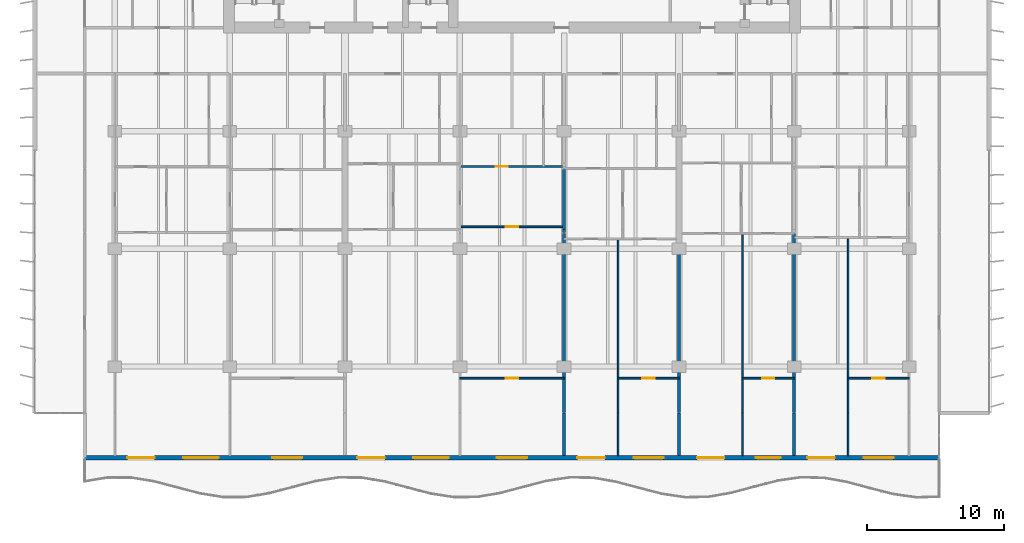
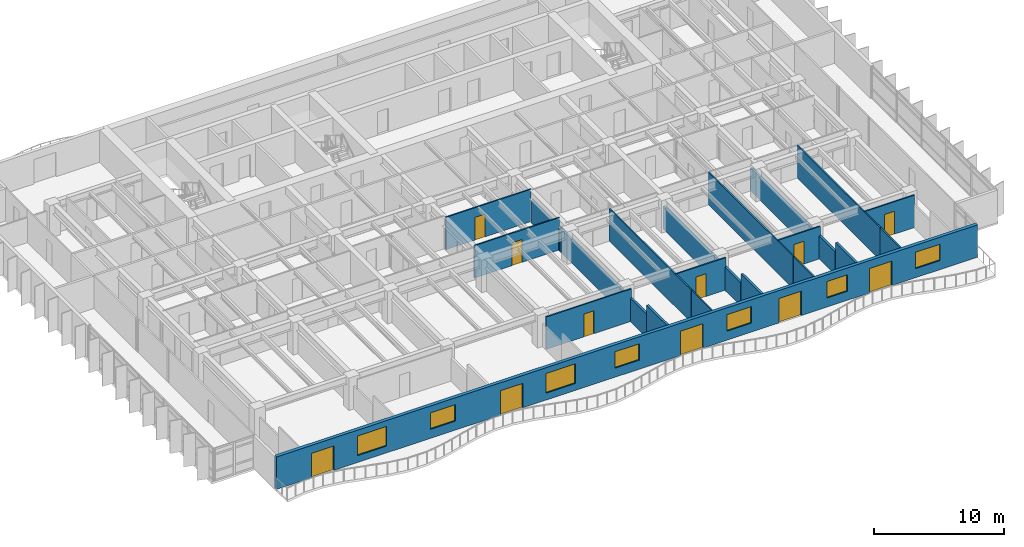
# One storey, part 8 of 19: 21 walls, 11 doors, 7 windows, 18 openings.
"""IFC4 building model written with IfcOpenShell, lengths in metres."""

from ifc_helpers import new_model, si_unit, direction, frame, frame_2d, origin, place, context, subcontext, project, spatial, rectangle, extrude, material, layer, layer_set, type_object, element, fill, save


model = new_model("IFC4")

# Units and contexts
model_context = context("Model", 3, precision=1e-05, world=origin(), true_north=direction((0.0, 1.0)))
body_context = subcontext(model_context, "Body", "Model", "MODEL_VIEW")
ifc_project = project(units=[si_unit("LENGTHUNIT", "METRE"), si_unit("AREAUNIT", "SQUARE_METRE"), si_unit("VOLUMEUNIT", "CUBIC_METRE"), si_unit("PLANEANGLEUNIT", "RADIAN"), si_unit("MASSUNIT", "GRAM", prefix="KILO")], contexts=[model_context])

# Site, building, storey
site_placement = place(None, origin())
site = spatial("IfcSite", under=ifc_project, at=site_placement, CompositionType="ELEMENT")
building_placement = place(site_placement, origin())
building = spatial("IfcBuilding", under=site, at=building_placement, Name="Caelmar Bay Residences", CompositionType="ELEMENT")
storey_placement = place(building_placement, frame((0.0, 0.0, 115.800048828125)))
storey = spatial("IfcBuildingStorey", under=building, at=storey_placement, Name="L31", CompositionType="ELEMENT", Elevation=115.800048828125)

# Wall, openings, doors, windows
ifc_material_1 = material(Name="Precast concrete f'c 40 MPa (6,000 psi)", Category="concrete")
ifc_layer_1 = layer(ifc_material_1, 0.300048828125)
ifc_layer_set_1 = layer_set([ifc_layer_1], Name="Precast concrete f'c 40 MPa (6,000 psi)")
wall_type_1 = type_object("IfcWallType", Name="W-EXT-300", PredefinedType="STANDARD", material=ifc_layer_set_1)
wall_1_placement = place(storey_placement, frame((70.10009765625, 5.550048828125, 0.0), z_axis=(0.0, 0.0, 1.0), x_axis=(-1.0, 0.0, 0.0)))
wall_1 = element("IfcWall", 1, at=wall_1_placement, inside=storey, type_object=wall_type_1, Name="L31 South Bayfront Exterior Wall", PredefinedType="STANDARD", context=body_context, shape_type="SweptSolid", body=[
    extrude(rectangle(XDim=62.400146484375, YDim=0.300048828125, at=frame_2d((31.2001953125, 0.0))), origin(), (0.0, 0.0, 1.0), 3.050048828125),
])
opening_1_placement = place(wall_1_placement, frame((57.2900390625, 0.0, 0.0)))
opening_1 = element("IfcOpeningElement", 2, at=opening_1_placement, cuts=wall_1, Name="Opening L31-BD01", PredefinedType="OPENING", context=body_context, shape_type="SweptSolid", body=[
    extrude(rectangle(XDim=2.0, YDim=2.300048828125, at=frame_2d((1.0, 1.14990234375))), frame((0.0, 0.159912109375, 0.0), z_axis=(0.0, -1.0, 0.0), x_axis=(1.0, 0.0, 0.0)), (0.0, 0.0, 1.0), 0.320068359375),
])
opening_2_placement = place(wall_1_placement, frame((52.610107421875, 0.0, 0.64990234375)))
opening_2 = element("IfcOpeningElement", 3, at=opening_2_placement, cuts=wall_1, Name="Opening WN3", PredefinedType="OPENING", context=body_context, shape_type="SweptSolid", body=[
    extrude(rectangle(XDim=2.60009765625, YDim=1.85009765625, at=frame_2d((1.300048828125, 0.925048828125))), frame((0.0, 0.159912109375, 0.0), z_axis=(0.0, -1.0, 0.0), x_axis=(1.0, 0.0, 0.0)), (0.0, 0.0, 1.0), 0.320068359375),
])
opening_3_placement = place(wall_1_placement, frame((46.5, 0.0, 0.85009765625)))
opening_3 = element("IfcOpeningElement", 4, at=opening_3_placement, cuts=wall_1, Name="Opening WN2", PredefinedType="OPENING", context=body_context, shape_type="SweptSolid", body=[
    extrude(rectangle(XDim=2.199951171875, YDim=1.550048828125, at=frame_2d((1.10009765625, 0.77490234375))), frame((0.0, 0.159912109375, 0.0), z_axis=(0.0, -1.0, 0.0), x_axis=(1.0, 0.0, 0.0)), (0.0, 0.0, 1.0), 0.320068359375),
])
opening_4_placement = place(wall_1_placement, frame((40.489990234375, 0.0, 0.0)))
opening_4 = element("IfcOpeningElement", 5, at=opening_4_placement, cuts=wall_1, Name="Opening L31-BD02", PredefinedType="OPENING", context=body_context, shape_type="SweptSolid", body=[
    extrude(rectangle(XDim=2.0, YDim=2.300048828125, at=frame_2d((1.0, 1.14990234375))), frame((0.0, 0.159912109375, 0.0), z_axis=(0.0, -1.0, 0.0), x_axis=(1.0, 0.0, 0.0)), (0.0, 0.0, 1.0), 0.320068359375),
])
opening_5_placement = place(wall_1_placement, frame((35.81005859375, 0.0, 0.64990234375)))
opening_5 = element("IfcOpeningElement", 6, at=opening_5_placement, cuts=wall_1, Name="Opening WN3", PredefinedType="OPENING", context=body_context, shape_type="SweptSolid", body=[
    extrude(rectangle(XDim=2.60009765625, YDim=1.85009765625, at=frame_2d((1.300048828125, 0.925048828125))), frame((0.0, 0.159912109375, 0.0), z_axis=(0.0, -1.0, 0.0), x_axis=(1.0, 0.0, 0.0)), (0.0, 0.0, 1.0), 0.320068359375),
])
opening_6_placement = place(wall_1_placement, frame((30.10009765625, 0.0, 0.85009765625)))
opening_6 = element("IfcOpeningElement", 7, at=opening_6_placement, cuts=wall_1, Name="Opening WN2", PredefinedType="OPENING", context=body_context, shape_type="SweptSolid", body=[
    extrude(rectangle(XDim=2.199951171875, YDim=1.550048828125, at=frame_2d((1.10009765625, 0.77490234375))), frame((0.0, 0.159912109375, 0.0), z_axis=(0.0, -1.0, 0.0), x_axis=(1.0, 0.0, 0.0)), (0.0, 0.0, 1.0), 0.320068359375),
])
opening_7_placement = place(wall_1_placement, frame((24.426025390625, 0.0, 0.0)))
opening_7 = element("IfcOpeningElement", 8, at=opening_7_placement, cuts=wall_1, Name="Opening L31-BD03", PredefinedType="OPENING", context=body_context, shape_type="SweptSolid", body=[
    extrude(rectangle(XDim=2.0, YDim=2.300048828125, at=frame_2d((1.0, 1.14990234375))), frame((0.0, 0.159912109375, 0.0), z_axis=(0.0, -1.0, 0.0), x_axis=(1.0, 0.0, 0.0)), (0.0, 0.0, 1.0), 0.320068359375),
])
opening_8_placement = place(wall_1_placement, frame((20.1259765625, 0.0, 0.85009765625)))
opening_8 = element("IfcOpeningElement", 9, at=opening_8_placement, cuts=wall_1, Name="Opening WN2", PredefinedType="OPENING", context=body_context, shape_type="SweptSolid", body=[
    extrude(rectangle(XDim=2.199951171875, YDim=1.550048828125, at=frame_2d((1.10009765625, 0.77490234375))), frame((0.0, 0.159912109375, 0.0), z_axis=(0.0, -1.0, 0.0), x_axis=(1.0, 0.0, 0.0)), (0.0, 0.0, 1.0), 0.320068359375),
])
opening_9_placement = place(wall_1_placement, frame((15.68994140625, 0.0, 0.0)))
opening_9 = element("IfcOpeningElement", 10, at=opening_9_placement, cuts=wall_1, Name="Opening L31-BD04", PredefinedType="OPENING", context=body_context, shape_type="SweptSolid", body=[
    extrude(rectangle(XDim=2.0, YDim=2.300048828125, at=frame_2d((1.0, 1.14990234375))), frame((0.0, 0.159912109375, 0.0), z_axis=(0.0, -1.0, 0.0), x_axis=(1.0, 0.0, 0.0)), (0.0, 0.0, 1.0), 0.320068359375),
])
opening_10_placement = place(wall_1_placement, frame((11.590087890625, 0.0, 0.85009765625)))
opening_10 = element("IfcOpeningElement", 11, at=opening_10_placement, cuts=wall_1, Name="Opening WN1", PredefinedType="OPENING", context=body_context, shape_type="SweptSolid", body=[
    extrude(rectangle(XDim=1.800048828125, YDim=1.550048828125, at=frame_2d((0.89990234375, 0.77490234375))), frame((0.0, 0.159912109375, 0.0), z_axis=(0.0, -1.0, 0.0), x_axis=(1.0, 0.0, 0.0)), (0.0, 0.0, 1.0), 0.320068359375),
])
opening_11_placement = place(wall_1_placement, frame((7.6259765625, 0.0, 0.0)))
opening_11 = element("IfcOpeningElement", 12, at=opening_11_placement, cuts=wall_1, Name="Opening L31-BD05", PredefinedType="OPENING", context=body_context, shape_type="SweptSolid", body=[
    extrude(rectangle(XDim=2.0, YDim=2.300048828125, at=frame_2d((1.0, 1.14990234375))), frame((0.0, 0.159912109375, 0.0), z_axis=(0.0, -1.0, 0.0), x_axis=(1.0, 0.0, 0.0)), (0.0, 0.0, 1.0), 0.320068359375),
])
opening_12_placement = place(wall_1_placement, frame((3.325927734375, 0.0, 0.85009765625)))
opening_12 = element("IfcOpeningElement", 13, at=opening_12_placement, cuts=wall_1, Name="Opening WN2", PredefinedType="OPENING", context=body_context, shape_type="SweptSolid", body=[
    extrude(rectangle(XDim=2.199951171875, YDim=1.550048828125, at=frame_2d((1.10009765625, 0.77490234375))), frame((0.0, 0.159912109375, 0.0), z_axis=(0.0, -1.0, 0.0), x_axis=(1.0, 0.0, 0.0)), (0.0, 0.0, 1.0), 0.320068359375),
])
ifc_material_2 = material(Name="Anodised bronze thermally broken sliding glass door", Category="glass")
ifc_layer_2 = layer(ifc_material_2, 0.050048828125)
ifc_layer_set_2 = layer_set([ifc_layer_2], Name="Anodised bronze thermally broken sliding glass door")
door_type_1 = type_object("IfcDoorType", Name="D-BAL-2000", OperationType="DOUBLE_DOOR_SLIDING", PredefinedType="DOOR", material=ifc_layer_set_2)
door_1_placement = place(opening_1_placement, origin())
door_1 = element("IfcDoor", 14, at=door_1_placement, inside=storey, type_object=door_type_1, Name="L31 Residence 01 Penthouse Living Salon Balcony Door", OperationType="DOUBLE_DOOR_SLIDING", OverallHeight=2.300048828125, OverallWidth=2.0, PredefinedType="DOOR", context=body_context, shape_type="SweptSolid", body=[
    extrude(rectangle(XDim=2.0, YDim=2.300048828125, at=frame_2d((1.0, 1.14990234375))), frame((0.0, 0.02490234375, 0.0), z_axis=(0.0, -1.0, 0.0), x_axis=(1.0, 0.0, 0.0)), (0.0, 0.0, 1.0), 0.050048828125),
])
fill(opening_1, door_1)
door_2_placement = place(opening_4_placement, origin())
door_2 = element("IfcDoor", 15, at=door_2_placement, inside=storey, type_object=door_type_1, Name="L31 Residence 02 Penthouse Living Salon Balcony Door", OperationType="DOUBLE_DOOR_SLIDING", OverallHeight=2.300048828125, OverallWidth=2.0, PredefinedType="DOOR", context=body_context, shape_type="SweptSolid", body=[
    extrude(rectangle(XDim=2.0, YDim=2.300048828125, at=frame_2d((1.0, 1.14990234375))), frame((0.0, 0.02490234375, 0.0), z_axis=(0.0, -1.0, 0.0), x_axis=(1.0, 0.0, 0.0)), (0.0, 0.0, 1.0), 0.050048828125),
])
fill(opening_4, door_2)
door_3_placement = place(opening_7_placement, origin())
door_3 = element("IfcDoor", 16, at=door_3_placement, inside=storey, type_object=door_type_1, Name="L31 Residence 03 Living Room Balcony Door", OperationType="DOUBLE_DOOR_SLIDING", OverallHeight=2.300048828125, OverallWidth=2.0, PredefinedType="DOOR", context=body_context, shape_type="SweptSolid", body=[
    extrude(rectangle(XDim=2.0, YDim=2.300048828125, at=frame_2d((1.0, 1.14990234375))), frame((0.0, 0.02490234375, 0.0), z_axis=(0.0, -1.0, 0.0), x_axis=(1.0, 0.0, 0.0)), (0.0, 0.0, 1.0), 0.050048828125),
])
fill(opening_7, door_3)
door_4_placement = place(opening_9_placement, origin())
door_4 = element("IfcDoor", 17, at=door_4_placement, inside=storey, type_object=door_type_1, Name="L31 Residence 04 Living Room Balcony Door", OperationType="DOUBLE_DOOR_SLIDING", OverallHeight=2.300048828125, OverallWidth=2.0, PredefinedType="DOOR", context=body_context, shape_type="SweptSolid", body=[
    extrude(rectangle(XDim=2.0, YDim=2.300048828125, at=frame_2d((1.0, 1.14990234375))), frame((0.0, 0.02490234375, 0.0), z_axis=(0.0, -1.0, 0.0), x_axis=(1.0, 0.0, 0.0)), (0.0, 0.0, 1.0), 0.050048828125),
])
fill(opening_9, door_4)
door_5_placement = place(opening_11_placement, origin())
door_5 = element("IfcDoor", 18, at=door_5_placement, inside=storey, type_object=door_type_1, Name="L31 Residence 05 Living Room Balcony Door", OperationType="DOUBLE_DOOR_SLIDING", OverallHeight=2.300048828125, OverallWidth=2.0, PredefinedType="DOOR", context=body_context, shape_type="SweptSolid", body=[
    extrude(rectangle(XDim=2.0, YDim=2.300048828125, at=frame_2d((1.0, 1.14990234375))), frame((0.0, 0.02490234375, 0.0), z_axis=(0.0, -1.0, 0.0), x_axis=(1.0, 0.0, 0.0)), (0.0, 0.0, 1.0), 0.050048828125),
])
fill(opening_11, door_5)
ifc_material_3 = material(Name="Bronze aluminium frame with laminated low-E glass", Category="aluminium")
ifc_layer_3 = layer(ifc_material_3, 0.06005859375)
ifc_layer_set_3 = layer_set([ifc_layer_3], Name="Bronze aluminium frame with laminated low-E glass")
window_type_1 = type_object("IfcWindowType", Name="WIN-BR-1800", PartitioningType="SINGLE_PANEL", PredefinedType="WINDOW", material=ifc_layer_set_3)
window_1_placement = place(opening_10_placement, origin())
window_1 = element("IfcWindow", 19, at=window_1_placement, inside=storey, type_object=window_type_1, Name="L31 Residence 04 Primary Bedroom Window", OverallHeight=1.550048828125, OverallWidth=1.800048828125, PartitioningType="SINGLE_PANEL", PredefinedType="WINDOW", context=body_context, shape_type="SweptSolid", body=[
    extrude(rectangle(XDim=1.800048828125, YDim=1.550048828125, at=frame_2d((0.89990234375, 0.77490234375))), frame((0.0, 0.030029296875, 0.0), z_axis=(0.0, -1.0, 0.0), x_axis=(1.0, 0.0, 0.0)), (0.0, 0.0, 1.0), 0.06005859375),
])
fill(opening_10, window_1)
ifc_layer_4 = layer(ifc_material_3, 0.06005859375)
ifc_layer_set_4 = layer_set([ifc_layer_4], Name="Bronze aluminium frame with laminated low-E glass")
window_type_2 = type_object("IfcWindowType", Name="WIN-BR-2200", PartitioningType="SINGLE_PANEL", PredefinedType="WINDOW", material=ifc_layer_set_4)
window_2_placement = place(opening_3_placement, origin())
window_2 = element("IfcWindow", 20, at=window_2_placement, inside=storey, type_object=window_type_2, Name="L31 Residence 01 Primary Bedroom 1 Window", OverallHeight=1.550048828125, OverallWidth=2.199951171875, PartitioningType="SINGLE_PANEL", PredefinedType="WINDOW", context=body_context, shape_type="SweptSolid", body=[
    extrude(rectangle(XDim=2.199951171875, YDim=1.550048828125, at=frame_2d((1.10009765625, 0.77490234375))), frame((0.0, 0.030029296875, 0.0), z_axis=(0.0, -1.0, 0.0), x_axis=(1.0, 0.0, 0.0)), (0.0, 0.0, 1.0), 0.06005859375),
])
fill(opening_3, window_2)
window_3_placement = place(opening_6_placement, origin())
window_3 = element("IfcWindow", 21, at=window_3_placement, inside=storey, type_object=window_type_2, Name="L31 Residence 02 Primary Bedroom 1 Window", OverallHeight=1.550048828125, OverallWidth=2.199951171875, PartitioningType="SINGLE_PANEL", PredefinedType="WINDOW", context=body_context, shape_type="SweptSolid", body=[
    extrude(rectangle(XDim=2.199951171875, YDim=1.550048828125, at=frame_2d((1.10009765625, 0.77490234375))), frame((0.0, 0.030029296875, 0.0), z_axis=(0.0, -1.0, 0.0), x_axis=(1.0, 0.0, 0.0)), (0.0, 0.0, 1.0), 0.06005859375),
])
fill(opening_6, window_3)
window_4_placement = place(opening_8_placement, origin())
window_4 = element("IfcWindow", 22, at=window_4_placement, inside=storey, type_object=window_type_2, Name="L31 Residence 03 Primary Bedroom Window", OverallHeight=1.550048828125, OverallWidth=2.199951171875, PartitioningType="SINGLE_PANEL", PredefinedType="WINDOW", context=body_context, shape_type="SweptSolid", body=[
    extrude(rectangle(XDim=2.199951171875, YDim=1.550048828125, at=frame_2d((1.10009765625, 0.77490234375))), frame((0.0, 0.030029296875, 0.0), z_axis=(0.0, -1.0, 0.0), x_axis=(1.0, 0.0, 0.0)), (0.0, 0.0, 1.0), 0.06005859375),
])
fill(opening_8, window_4)
window_5_placement = place(opening_12_placement, origin())
window_5 = element("IfcWindow", 23, at=window_5_placement, inside=storey, type_object=window_type_2, Name="L31 Residence 05 Primary Bedroom Window", OverallHeight=1.550048828125, OverallWidth=2.199951171875, PartitioningType="SINGLE_PANEL", PredefinedType="WINDOW", context=body_context, shape_type="SweptSolid", body=[
    extrude(rectangle(XDim=2.199951171875, YDim=1.550048828125, at=frame_2d((1.10009765625, 0.77490234375))), frame((0.0, 0.030029296875, 0.0), z_axis=(0.0, -1.0, 0.0), x_axis=(1.0, 0.0, 0.0)), (0.0, 0.0, 1.0), 0.06005859375),
])
fill(opening_12, window_5)
ifc_layer_5 = layer(ifc_material_3, 0.06005859375)
ifc_layer_set_5 = layer_set([ifc_layer_5], Name="Bronze aluminium frame with laminated low-E glass")
window_type_3 = type_object("IfcWindowType", Name="WIN-LIV-2600", PartitioningType="SINGLE_PANEL", PredefinedType="WINDOW", material=ifc_layer_set_5)
window_6_placement = place(opening_2_placement, origin())
window_6 = element("IfcWindow", 24, at=window_6_placement, inside=storey, type_object=window_type_3, Name="L31 Residence 01 Penthouse Living Salon Panoramic Window", OverallHeight=1.85009765625, OverallWidth=2.60009765625, PartitioningType="SINGLE_PANEL", PredefinedType="WINDOW", context=body_context, shape_type="SweptSolid", body=[
    extrude(rectangle(XDim=2.60009765625, YDim=1.85009765625, at=frame_2d((1.300048828125, 0.925048828125))), frame((0.0, 0.030029296875, 0.0), z_axis=(0.0, -1.0, 0.0), x_axis=(1.0, 0.0, 0.0)), (0.0, 0.0, 1.0), 0.06005859375),
])
fill(opening_2, window_6)
window_7_placement = place(opening_5_placement, origin())
window_7 = element("IfcWindow", 25, at=window_7_placement, inside=storey, type_object=window_type_3, Name="L31 Residence 02 Penthouse Living Salon Panoramic Window", OverallHeight=1.85009765625, OverallWidth=2.60009765625, PartitioningType="SINGLE_PANEL", PredefinedType="WINDOW", context=body_context, shape_type="SweptSolid", body=[
    extrude(rectangle(XDim=2.60009765625, YDim=1.85009765625, at=frame_2d((1.300048828125, 0.925048828125))), frame((0.0, 0.030029296875, 0.0), z_axis=(0.0, -1.0, 0.0), x_axis=(1.0, 0.0, 0.0)), (0.0, 0.0, 1.0), 0.06005859375),
])
fill(opening_5, window_7)

# Walls
ifc_material_4 = material(Name="Acoustic metal-stud gypsum partition 120 mm")
ifc_layer_6 = layer(ifc_material_4, 0.1201171875)
ifc_layer_set_6 = layer_set([ifc_layer_6], Name="Acoustic metal-stud gypsum partition 120 mm")
wall_type_2 = type_object("IfcWallType", Name="W-PRT-120", PredefinedType="PARTITIONING", material=ifc_layer_set_6)
wall_2_placement = place(storey_placement, frame((46.64794921875, 5.695068359375, 0.0), z_axis=(0.0, 0.0, 1.0), x_axis=(0.0, 1.0, 0.0)))
element("IfcWall", 26, at=wall_2_placement, inside=storey, type_object=wall_type_2, Name="L31 Partition Wall V064", PredefinedType="PARTITIONING", context=body_context, shape_type="SweptSolid", body=[
    extrude(rectangle(XDim=3.10498046875, YDim=0.1201171875, at=frame_2d((1.552490234375, 0.0))), origin(), (0.0, 0.0, 1.0), 3.050048828125),
])
wall_3_placement = place(storey_placement, frame((46.64794921875, 8.840087890625, 0.0), z_axis=(0.0, 0.0, 1.0), x_axis=(0.0, 1.0, 0.0)))
element("IfcWall", 27, at=wall_3_placement, inside=storey, type_object=wall_type_2, Name="L31 Partition Wall V065", PredefinedType="PARTITIONING", context=body_context, shape_type="SweptSolid", body=[
    extrude(rectangle(XDim=12.68994140625, YDim=0.1201171875, at=frame_2d((6.344970703125, 0.0))), origin(), (0.0, 0.0, 1.0), 3.050048828125),
])
wall_4_placement = place(storey_placement, frame((55.719970703125, 5.695068359375, 0.0), z_axis=(0.0, 0.0, 1.0), x_axis=(0.0, 1.0, 0.0)))
element("IfcWall", 28, at=wall_4_placement, inside=storey, type_object=wall_type_2, Name="L31 Partition Wall V083", PredefinedType="PARTITIONING", context=body_context, shape_type="SweptSolid", body=[
    extrude(rectangle(XDim=3.10498046875, YDim=0.1201171875, at=frame_2d((1.552490234375, 0.0))), origin(), (0.0, 0.0, 1.0), 3.050048828125),
])
wall_5_placement = place(storey_placement, frame((55.719970703125, 8.840087890625, 0.0), z_axis=(0.0, 0.0, 1.0), x_axis=(0.0, 1.0, 0.0)))
element("IfcWall", 29, at=wall_5_placement, inside=storey, type_object=wall_type_2, Name="L31 Partition Wall V084", PredefinedType="PARTITIONING", context=body_context, shape_type="SweptSolid", body=[
    extrude(rectangle(XDim=13.08984375, YDim=0.1201171875, at=frame_2d((6.544921875, 0.0))), origin(), (0.0, 0.0, 1.0), 3.050048828125),
])
wall_6_placement = place(storey_placement, frame((63.447998046875, 5.695068359375, 0.0), z_axis=(0.0, 0.0, 1.0), x_axis=(0.0, 1.0, 0.0)))
element("IfcWall", 30, at=wall_6_placement, inside=storey, type_object=wall_type_2, Name="L31 Partition Wall V095", PredefinedType="PARTITIONING", context=body_context, shape_type="SweptSolid", body=[
    extrude(rectangle(XDim=3.10498046875, YDim=0.1201171875, at=frame_2d((1.552490234375, 0.0))), origin(), (0.0, 0.0, 1.0), 3.050048828125),
])
wall_7_placement = place(storey_placement, frame((63.447998046875, 8.840087890625, 0.0), z_axis=(0.0, 0.0, 1.0), x_axis=(0.0, 1.0, 0.0)))
element("IfcWall", 31, at=wall_7_placement, inside=storey, type_object=wall_type_2, Name="L31 Partition Wall V096", PredefinedType="PARTITIONING", context=body_context, shape_type="SweptSolid", body=[
    extrude(rectangle(XDim=12.789794921875, YDim=0.1201171875, at=frame_2d((6.39501953125, 0.0))), origin(), (0.0, 0.0, 1.0), 3.050048828125),
])

# Wall, opening, door
wall_8_placement = place(storey_placement, frame((35.10009765625, 11.35009765625, 0.0), z_axis=(0.0, 0.0, 1.0), x_axis=(1.0, 0.0, 0.0)))
wall_8 = element("IfcWall", 32, at=wall_8_placement, inside=storey, type_object=wall_type_2, Name="L31 Partition Wall H121", PredefinedType="PARTITIONING", context=body_context, shape_type="SweptSolid", body=[
    extrude(rectangle(XDim=7.599853515625, YDim=0.1201171875, at=frame_2d((3.7998046875, 0.0))), origin(), (0.0, 0.0, 1.0), 3.050048828125),
])
opening_13_placement = place(wall_8_placement, frame((3.35009765625, 0.0, 0.0)))
opening_13 = element("IfcOpeningElement", 33, at=opening_13_placement, cuts=wall_8, Name="Opening D-L31-139", PredefinedType="OPENING", context=body_context, shape_type="SweptSolid", body=[
    extrude(rectangle(XDim=0.89990234375, YDim=2.14990234375, at=frame_2d((0.449951171875, 1.074951171875))), frame((0.0, 0.070068359375, 0.0), z_axis=(0.0, -1.0, 0.0), x_axis=(1.0, 0.0, 0.0)), (0.0, 0.0, 1.0), 0.14013671875),
])
ifc_material_5 = material(Name="Solid walnut timber interior door leaf and frame", Category="wood")
ifc_layer_7 = layer(ifc_material_5, 0.050048828125)
ifc_layer_set_7 = layer_set([ifc_layer_7], Name="Solid walnut timber interior door leaf and frame")
door_type_2 = type_object("IfcDoorType", Name="D-ROOM-900", OperationType="NOTDEFINED", PredefinedType="DOOR", material=ifc_layer_set_7)
door_6_placement = place(opening_13_placement, origin())
door_6 = element("IfcDoor", 34, at=door_6_placement, inside=storey, type_object=door_type_2, Name="L31 Residence 02 Primary Bedroom 1 Door", OperationType="SINGLE_SWING_RIGHT", OverallHeight=2.14990234375, OverallWidth=0.89990234375, PredefinedType="DOOR", context=body_context, shape_type="SweptSolid", body=[
    extrude(rectangle(XDim=0.89990234375, YDim=2.14990234375, at=frame_2d((0.449951171875, 1.074951171875))), frame((0.0, 0.02490234375, 0.0), z_axis=(0.0, -1.0, 0.0), x_axis=(1.0, 0.0, 0.0)), (0.0, 0.0, 1.0), 0.050048828125),
])
fill(opening_13, door_6)

wall_9_placement = place(storey_placement, frame((46.64794921875, 11.35009765625, 0.0), z_axis=(0.0, 0.0, 1.0), x_axis=(1.0, 0.0, 0.0)))
wall_9 = element("IfcWall", 35, at=wall_9_placement, inside=storey, type_object=wall_type_2, Name="L31 Partition Wall H122", PredefinedType="PARTITIONING", context=body_context, shape_type="SweptSolid", body=[
    extrude(rectangle(XDim=4.4521484375, YDim=0.1201171875, at=frame_2d((2.22607421875, 0.0))), origin(), (0.0, 0.0, 1.0), 3.050048828125),
])
opening_14_placement = place(wall_9_placement, frame((1.77587890625, 0.0, 0.0)))
opening_14 = element("IfcOpeningElement", 36, at=opening_14_placement, cuts=wall_9, Name="Opening D-L31-146", PredefinedType="OPENING", context=body_context, shape_type="SweptSolid", body=[
    extrude(rectangle(XDim=0.89990234375, YDim=2.14990234375, at=frame_2d((0.449951171875, 1.074951171875))), frame((0.0, 0.070068359375, 0.0), z_axis=(0.0, -1.0, 0.0), x_axis=(1.0, 0.0, 0.0)), (0.0, 0.0, 1.0), 0.14013671875),
])
door_7_placement = place(opening_14_placement, origin())
door_7 = element("IfcDoor", 37, at=door_7_placement, inside=storey, type_object=door_type_2, Name="L31 Residence 03 Primary Bedroom Door", OperationType="SINGLE_SWING_LEFT", OverallHeight=2.14990234375, OverallWidth=0.89990234375, PredefinedType="DOOR", context=body_context, shape_type="SweptSolid", body=[
    extrude(rectangle(XDim=0.89990234375, YDim=2.14990234375, at=frame_2d((0.449951171875, 1.074951171875))), frame((0.0, 0.02490234375, 0.0), z_axis=(0.0, -1.0, 0.0), x_axis=(1.0, 0.0, 0.0)), (0.0, 0.0, 1.0), 0.050048828125),
])
fill(opening_14, door_7)

wall_10_placement = place(storey_placement, frame((55.719970703125, 11.35009765625, 0.0), z_axis=(0.0, 0.0, 1.0), x_axis=(1.0, 0.0, 0.0)))
wall_10 = element("IfcWall", 38, at=wall_10_placement, inside=storey, type_object=wall_type_2, Name="L31 Partition Wall H123", PredefinedType="PARTITIONING", context=body_context, shape_type="SweptSolid", body=[
    extrude(rectangle(XDim=3.780029296875, YDim=0.1201171875, at=frame_2d((1.89013671875, 0.0))), origin(), (0.0, 0.0, 1.0), 3.050048828125),
])
opening_15_placement = place(wall_10_placement, frame((1.43994140625, 0.0, 0.0)))
opening_15 = element("IfcOpeningElement", 39, at=opening_15_placement, cuts=wall_10, Name="Opening D-L31-153", PredefinedType="OPENING", context=body_context, shape_type="SweptSolid", body=[
    extrude(rectangle(XDim=0.89990234375, YDim=2.14990234375, at=frame_2d((0.449951171875, 1.074951171875))), frame((0.0, 0.070068359375, 0.0), z_axis=(0.0, -1.0, 0.0), x_axis=(1.0, 0.0, 0.0)), (0.0, 0.0, 1.0), 0.14013671875),
])
door_8_placement = place(opening_15_placement, origin())
door_8 = element("IfcDoor", 40, at=door_8_placement, inside=storey, type_object=door_type_2, Name="L31 Residence 04 Primary Bedroom Door", OperationType="SINGLE_SWING_RIGHT", OverallHeight=2.14990234375, OverallWidth=0.89990234375, PredefinedType="DOOR", context=body_context, shape_type="SweptSolid", body=[
    extrude(rectangle(XDim=0.89990234375, YDim=2.14990234375, at=frame_2d((0.449951171875, 1.074951171875))), frame((0.0, 0.02490234375, 0.0), z_axis=(0.0, -1.0, 0.0), x_axis=(1.0, 0.0, 0.0)), (0.0, 0.0, 1.0), 0.050048828125),
])
fill(opening_15, door_8)

wall_11_placement = place(storey_placement, frame((63.447998046875, 11.35009765625, 0.0), z_axis=(0.0, 0.0, 1.0), x_axis=(1.0, 0.0, 0.0)))
wall_11 = element("IfcWall", 41, at=wall_11_placement, inside=storey, type_object=wall_type_2, Name="L31 Partition Wall H124", PredefinedType="PARTITIONING", context=body_context, shape_type="SweptSolid", body=[
    extrude(rectangle(XDim=4.451904296875, YDim=0.1201171875, at=frame_2d((2.22607421875, 0.0))), origin(), (0.0, 0.0, 1.0), 3.050048828125),
])
opening_16_placement = place(wall_11_placement, frame((1.77587890625, 0.0, 0.0)))
opening_16 = element("IfcOpeningElement", 42, at=opening_16_placement, cuts=wall_11, Name="Opening D-L31-160", PredefinedType="OPENING", context=body_context, shape_type="SweptSolid", body=[
    extrude(rectangle(XDim=0.89990234375, YDim=2.14990234375, at=frame_2d((0.449951171875, 1.074951171875))), frame((0.0, 0.070068359375, 0.0), z_axis=(0.0, -1.0, 0.0), x_axis=(1.0, 0.0, 0.0)), (0.0, 0.0, 1.0), 0.14013671875),
])
door_9_placement = place(opening_16_placement, origin())
door_9 = element("IfcDoor", 43, at=door_9_placement, inside=storey, type_object=door_type_2, Name="L31 Residence 05 Primary Bedroom Door", OperationType="SINGLE_SWING_LEFT", OverallHeight=2.14990234375, OverallWidth=0.89990234375, PredefinedType="DOOR", context=body_context, shape_type="SweptSolid", body=[
    extrude(rectangle(XDim=0.89990234375, YDim=2.14990234375, at=frame_2d((0.449951171875, 1.074951171875))), frame((0.0, 0.02490234375, 0.0), z_axis=(0.0, -1.0, 0.0), x_axis=(1.0, 0.0, 0.0)), (0.0, 0.0, 1.0), 0.050048828125),
])
fill(opening_16, door_9)

wall_12_placement = place(storey_placement, frame((35.10009765625, 22.419921875, 0.0), z_axis=(0.0, 0.0, 1.0), x_axis=(1.0, 0.0, 0.0)))
wall_12 = element("IfcWall", 44, at=wall_12_placement, inside=storey, type_object=wall_type_2, Name="L31 Partition Wall H131", PredefinedType="PARTITIONING", context=body_context, shape_type="SweptSolid", body=[
    extrude(rectangle(XDim=7.599853515625, YDim=0.1201171875, at=frame_2d((3.7998046875, 0.0))), origin(), (0.0, 0.0, 1.0), 3.050048828125),
])
opening_17_placement = place(wall_12_placement, frame((3.35009765625, 0.0, 0.0)))
opening_17 = element("IfcOpeningElement", 45, at=opening_17_placement, cuts=wall_12, Name="Opening D-L31-138", PredefinedType="OPENING", context=body_context, shape_type="SweptSolid", body=[
    extrude(rectangle(XDim=0.89990234375, YDim=2.14990234375, at=frame_2d((0.449951171875, 1.074951171875))), frame((0.0, 0.070068359375, 0.0), z_axis=(0.0, -1.0, 0.0), x_axis=(1.0, 0.0, 0.0)), (0.0, 0.0, 1.0), 0.14013671875),
])
door_10_placement = place(opening_17_placement, origin())
door_10 = element("IfcDoor", 46, at=door_10_placement, inside=storey, type_object=door_type_2, Name="L31 Residence 02 Penthouse Sitting Salon 1 Door", OperationType="SINGLE_SWING_LEFT", OverallHeight=2.14990234375, OverallWidth=0.89990234375, PredefinedType="DOOR", context=body_context, shape_type="SweptSolid", body=[
    extrude(rectangle(XDim=0.89990234375, YDim=2.14990234375, at=frame_2d((0.449951171875, 1.074951171875))), frame((0.0, 0.02490234375, 0.0), z_axis=(0.0, -1.0, 0.0), x_axis=(1.0, 0.0, 0.0)), (0.0, 0.0, 1.0), 0.050048828125),
])
fill(opening_17, door_10)

wall_13_placement = place(storey_placement, frame((35.10009765625, 26.820068359375, 0.0), z_axis=(0.0, 0.0, 1.0), x_axis=(1.0, 0.0, 0.0)))
wall_13 = element("IfcWall", 47, at=wall_13_placement, inside=storey, type_object=wall_type_2, Name="L31 Partition Wall H136", PredefinedType="PARTITIONING", context=body_context, shape_type="SweptSolid", body=[
    extrude(rectangle(XDim=7.594970703125, YDim=0.1201171875, at=frame_2d((3.79736328125, 0.0))), origin(), (0.0, 0.0, 1.0), 3.050048828125),
])
opening_18_placement = place(wall_13_placement, frame((2.60009765625, 0.0, 0.0)))
opening_18 = element("IfcOpeningElement", 48, at=opening_18_placement, cuts=wall_13, Name="Opening D-L31-136", PredefinedType="OPENING", context=body_context, shape_type="SweptSolid", body=[
    extrude(rectangle(XDim=0.89990234375, YDim=2.14990234375, at=frame_2d((0.449951171875, 1.074951171875))), frame((0.0, 0.070068359375, 0.0), z_axis=(0.0, -1.0, 0.0), x_axis=(1.0, 0.0, 0.0)), (0.0, 0.0, 1.0), 0.14013671875),
])
door_11_placement = place(opening_18_placement, origin())
door_11 = element("IfcDoor", 49, at=door_11_placement, inside=storey, type_object=door_type_2, Name="L31 Residence 02 Private Meeting Room 1 Door", OperationType="SINGLE_SWING_LEFT", OverallHeight=2.14990234375, OverallWidth=0.89990234375, PredefinedType="DOOR", context=body_context, shape_type="SweptSolid", body=[
    extrude(rectangle(XDim=0.89990234375, YDim=2.14990234375, at=frame_2d((0.449951171875, 1.074951171875))), frame((0.0, 0.02490234375, 0.0), z_axis=(0.0, -1.0, 0.0), x_axis=(1.0, 0.0, 0.0)), (0.0, 0.0, 1.0), 0.050048828125),
])
fill(opening_18, door_11)

# Walls
ifc_material_6 = material(Name="Acoustic twin-stud fire-rated inter-tenancy partition 200 mm")
ifc_layer_8 = layer(ifc_material_6, 0.199951171875)
ifc_layer_set_8 = layer_set([ifc_layer_8], Name="Acoustic twin-stud fire-rated inter-tenancy partition 200 mm")
wall_type_3 = type_object("IfcWallType", Name="W-PTY-200", PredefinedType="PARTITIONING", material=ifc_layer_set_8)
wall_14_placement = place(storey_placement, frame((42.699951171875, 5.695068359375, 0.0), z_axis=(0.0, 0.0, 1.0), x_axis=(0.0, 1.0, 0.0)))
element("IfcWall", 50, at=wall_14_placement, inside=storey, type_object=wall_type_3, Name="L31 Partition Wall V055", PredefinedType="PARTITIONING", context=body_context, shape_type="SweptSolid", body=[
    extrude(rectangle(XDim=3.10498046875, YDim=0.199951171875, at=frame_2d((1.552490234375, 0.0))), origin(), (0.0, 0.0, 1.0), 3.050048828125),
])
wall_15_placement = place(storey_placement, frame((42.699951171875, 8.840087890625, 0.0), z_axis=(0.0, 0.0, 1.0), x_axis=(0.0, 1.0, 0.0)))
element("IfcWall", 51, at=wall_15_placement, inside=storey, type_object=wall_type_3, Name="L31 Partition Wall V056", PredefinedType="PARTITIONING", context=body_context, shape_type="SweptSolid", body=[
    extrude(rectangle(XDim=13.08984375, YDim=0.199951171875, at=frame_2d((6.544921875, 0.0))), origin(), (0.0, 0.0, 1.0), 2.174072265625),
])
wall_16_placement = place(storey_placement, frame((42.699951171875, 22.0, 0.0), z_axis=(0.0, 0.0, 1.0), x_axis=(0.0, 1.0, 0.0)))
element("IfcWall", 52, at=wall_16_placement, inside=storey, type_object=wall_type_3, Name="L31 Partition Wall V057", PredefinedType="PARTITIONING", context=body_context, shape_type="SweptSolid", body=[
    extrude(rectangle(XDim=0.199951171875, YDim=0.199951171875, at=frame_2d((0.10009765625, 0.0))), origin(), (0.0, 0.0, 1.0), 2.174072265625),
])
wall_17_placement = place(storey_placement, frame((42.699951171875, 22.219970703125, 0.0), z_axis=(0.0, 0.0, 1.0), x_axis=(0.0, 1.0, 0.0)))
element("IfcWall", 53, at=wall_17_placement, inside=storey, type_object=wall_type_3, Name="L31 Partition Wall V058", PredefinedType="PARTITIONING", context=body_context, shape_type="SweptSolid", body=[
    extrude(rectangle(XDim=4.380126953125, YDim=0.199951171875, at=frame_2d((2.18994140625, 0.0))), origin(), (0.0, 0.0, 1.0), 2.174072265625),
])
wall_18_placement = place(storey_placement, frame((51.10009765625, 5.695068359375, 0.0), z_axis=(0.0, 0.0, 1.0), x_axis=(0.0, 1.0, 0.0)))
element("IfcWall", 54, at=wall_18_placement, inside=storey, type_object=wall_type_3, Name="L31 Partition Wall V075", PredefinedType="PARTITIONING", context=body_context, shape_type="SweptSolid", body=[
    extrude(rectangle(XDim=3.10498046875, YDim=0.199951171875, at=frame_2d((1.552490234375, 0.0))), origin(), (0.0, 0.0, 1.0), 3.050048828125),
])
wall_19_placement = place(storey_placement, frame((51.10009765625, 8.840087890625, 0.0), z_axis=(0.0, 0.0, 1.0), x_axis=(0.0, 1.0, 0.0)))
element("IfcWall", 55, at=wall_19_placement, inside=storey, type_object=wall_type_3, Name="L31 Partition Wall V076", PredefinedType="PARTITIONING", context=body_context, shape_type="SweptSolid", body=[
    extrude(rectangle(XDim=11.954833984375, YDim=0.199951171875, at=frame_2d((5.9775390625, 0.0))), origin(), (0.0, 0.0, 1.0), 2.174072265625),
])
wall_20_placement = place(storey_placement, frame((59.5, 5.695068359375, 0.0), z_axis=(0.0, 0.0, 1.0), x_axis=(0.0, 1.0, 0.0)))
element("IfcWall", 56, at=wall_20_placement, inside=storey, type_object=wall_type_3, Name="L31 Partition Wall V087", PredefinedType="PARTITIONING", context=body_context, shape_type="SweptSolid", body=[
    extrude(rectangle(XDim=3.10498046875, YDim=0.199951171875, at=frame_2d((1.552490234375, 0.0))), origin(), (0.0, 0.0, 1.0), 3.050048828125),
])
wall_21_placement = place(storey_placement, frame((59.5, 8.840087890625, 0.0), z_axis=(0.0, 0.0, 1.0), x_axis=(0.0, 1.0, 0.0)))
element("IfcWall", 57, at=wall_21_placement, inside=storey, type_object=wall_type_3, Name="L31 Partition Wall V088", PredefinedType="PARTITIONING", context=body_context, shape_type="SweptSolid", body=[
    extrude(rectangle(XDim=13.08984375, YDim=0.199951171875, at=frame_2d((6.544921875, 0.0))), origin(), (0.0, 0.0, 1.0), 2.174072265625),
])

save(model, "model.ifc")
